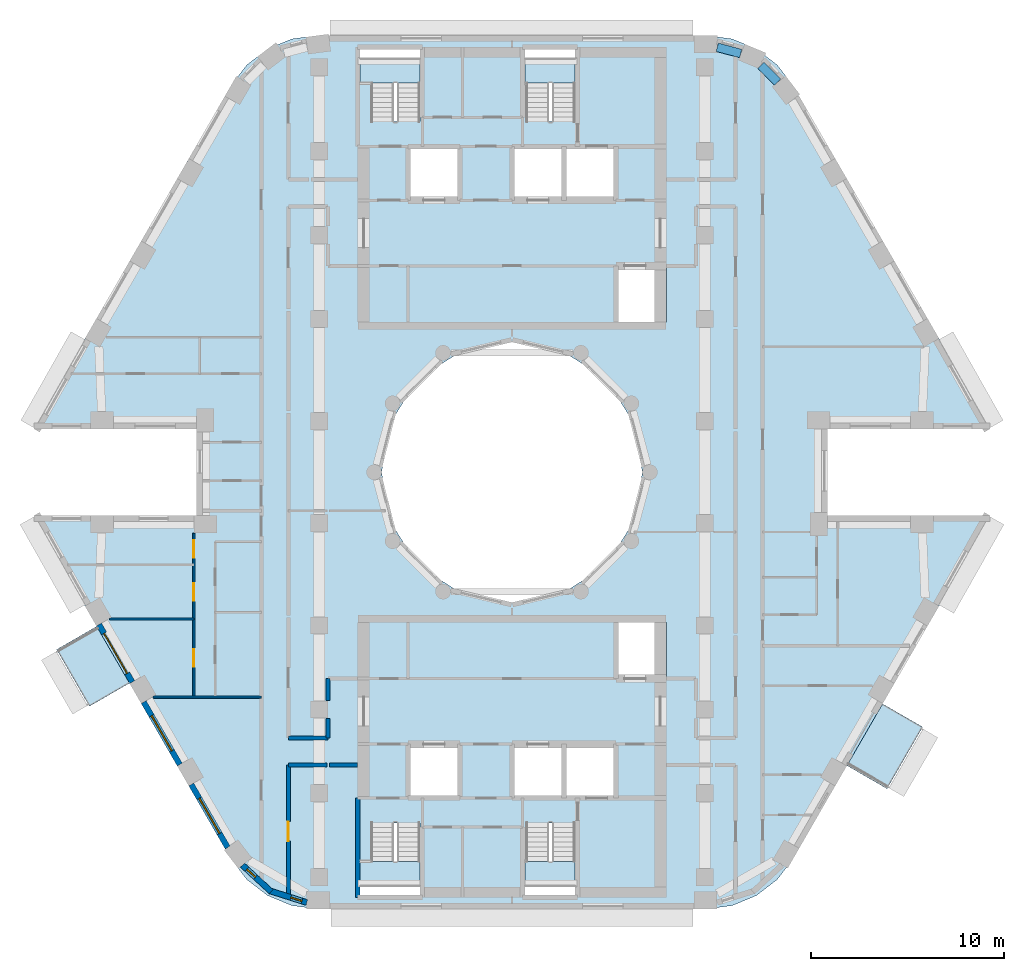
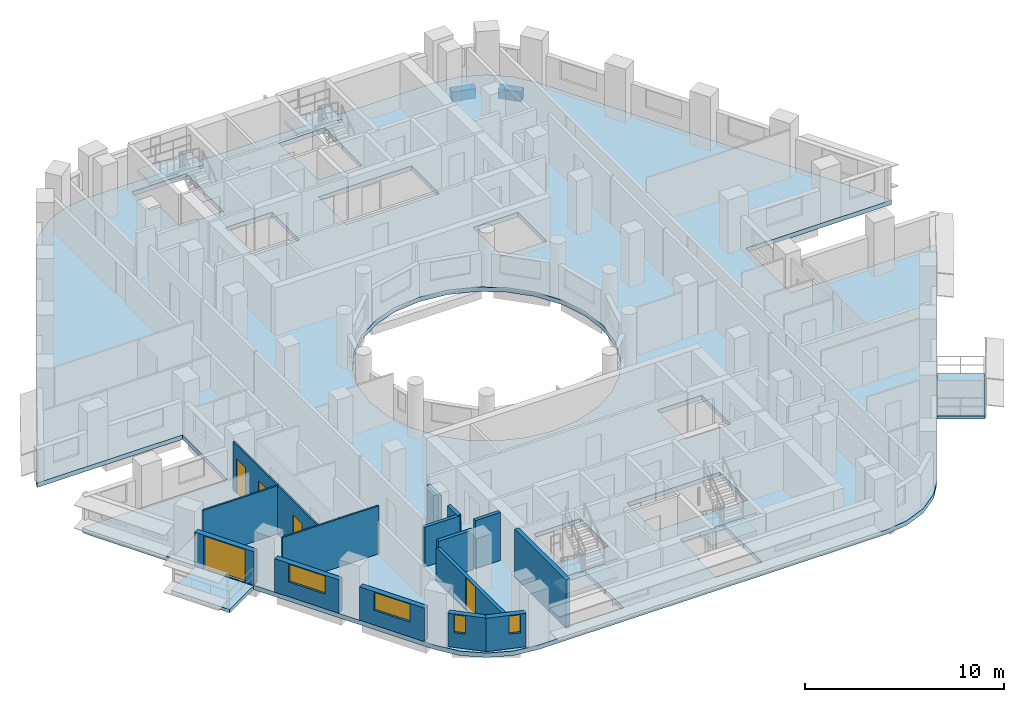
# One storey, part 2 of 15: 15 walls, 7 slabs, 5 doors, 4 windows, 2 beams, 9 openings, 4 elements without a shape of their own.
"""IFC4 building model written with IfcOpenShell, lengths in metres."""

from ifc_helpers import new_model, si_unit, direction, frame, frame_2d, origin, origin_2d, place, context, subcontext, project, spatial, polyline, rectangle, outline, extrude, material, layer, layer_set, material_profile, profile_set, type_object, element, fill, aggregate, save


model = new_model("IFC4")

# Units and contexts
model_context = context("Model", 3, precision=1e-05, world=origin(), true_north=direction((0.0, 1.0)))
body_context = subcontext(model_context, "Body", "Model", "MODEL_VIEW")
ifc_project = project(units=[si_unit("LENGTHUNIT", "METRE"), si_unit("AREAUNIT", "SQUARE_METRE"), si_unit("VOLUMEUNIT", "CUBIC_METRE"), si_unit("PLANEANGLEUNIT", "RADIAN"), si_unit("MASSUNIT", "GRAM", prefix="KILO")], contexts=[model_context])

# Site, building, storey
site_placement = place(None, origin())
site = spatial("IfcSite", under=ifc_project, at=site_placement, CompositionType="ELEMENT")
building_placement = place(site_placement, origin())
building = spatial("IfcBuilding", under=site, at=building_placement, Name="Nakaniwa Court", CompositionType="ELEMENT")
storey_placement = place(building_placement, frame((0.0, 0.0, 216.300048828125)))
storey = spatial("IfcBuildingStorey", under=building, at=storey_placement, Name="L57", CompositionType="ELEMENT", Elevation=216.300048828125)

# Beams
ifc_material_1 = material(Name="Concrete C80/100", Category="concrete")
ifc_material_profile = material_profile(ifc_material_1, rectangle(XDim=0.449951171875, YDim=0.60009765625, at=origin_2d()), Name="Concrete C80/100 RC 450x600 spandrel beam")
ifc_profile_set = profile_set([ifc_material_profile], Name="Concrete C80/100")
beam_type = type_object("IfcBeamType", Name="Concrete C80/100 RC 450x600 spandrel beam", PredefinedType="BEAM", material=ifc_profile_set)
beam_1_placement = place(storey_placement, frame((93.77587890625, 100.22802734375, -0.574951171875), z_axis=(-0.705916034154, 0.708295526404, 0.0), x_axis=(-0.708295526404, -0.705916034154, 0.0)))
element("IfcBeam", 1, at=beam_1_placement, inside=storey, type_object=beam_type, Name="SPANDREL BEAM", PredefinedType="BEAM", context=body_context, shape_type="SweptSolid", body=[
    extrude(rectangle(XDim=0.449951171875, YDim=0.60009765625, at=origin_2d()), origin(), (0.0, 0.0, 1.0), 1.231201171875),
])
beam_2_placement = place(storey_placement, frame((91.863037109375, 101.716064453125, -0.574951171875), z_axis=(-0.966337757832, 0.257276772735, 0.0), x_axis=(-0.257276772735, -0.966337757832, 0.0)))
element("IfcBeam", 2, at=beam_2_placement, inside=storey, type_object=beam_type, Name="SPANDREL BEAM", PredefinedType="BEAM", context=body_context, shape_type="SweptSolid", body=[
    extrude(rectangle(XDim=0.449951171875, YDim=0.60009765625, at=origin_2d()), origin(), (0.0, 0.0, 1.0), 1.26025390625),
])

# Slabs
ifc_material_2 = material(Name="Charcoal ceramic paver")
ifc_layer_1 = layer(ifc_material_2, 0.02, Name="Ceramic paver")
ifc_material_3 = material(Name="Cement sand screed")
ifc_layer_2 = layer(ifc_material_3, 0.03, Name="Falls screed")
ifc_material_4 = material(Name="Concrete C40/50", Category="concrete")
ifc_layer_3 = layer(ifc_material_4, 0.15, Name="Balcony slab")
ifc_layer_set_1 = layer_set([ifc_layer_1, ifc_layer_2, ifc_layer_3], Name="Concrete C40/50 balcony slab with ceramic paver finish")
slab_type_1 = type_object("IfcSlabType", Name="Balcony slab 200", PredefinedType="FLOOR", material=ifc_layer_set_1)
slab_1_placement = place(storey_placement, frame((0.0, 0.0, -0.25)))
element("IfcSlab", 3, at=slab_1_placement, inside=storey, type_object=slab_type_1, Name="L57 balcony 01", PredefinedType="FLOOR", context=body_context, shape_type="SweptSolid", body=[
    extrude(outline(polyline([(58.46142578125, 72.005859375), (60.160888671875, 69.062255859375), (58.08251953125, 67.8623046875), (56.383056640625, 70.805908203125), (58.46142578125, 72.005859375)])), origin(), (0.0, 0.0, 1.0), 0.199951171875),
])
slab_2_placement = place(storey_placement, frame((0.0, 0.0, -0.25)))
element("IfcSlab", 4, at=slab_2_placement, inside=storey, type_object=slab_type_1, Name="L57 balcony 02", PredefinedType="FLOOR", context=body_context, shape_type="SweptSolid", body=[
    extrude(outline(polyline([(97.370849609375, 64.787353515625), (99.218994140625, 67.98828125), (101.297607421875, 66.788330078125), (99.44921875, 63.58740234375), (97.370849609375, 64.787353515625)])), origin(), (0.0, 0.0, 1.0), 0.199951171875),
])
ifc_layer_4 = layer(ifc_material_1, 0.27490234375)
ifc_layer_set_2 = layer_set([ifc_layer_4], Name="Concrete C80/100")
slab_type_2 = type_object("IfcSlabType", Name="Concrete C80/100 post tensioned floor slab 275", PredefinedType="FLOOR", material=ifc_layer_set_2)
slab_3_placement = place(storey_placement, frame((0.0, 0.0, -0.275146484375)))
element("IfcSlab", 5, at=slab_3_placement, inside=storey, type_object=slab_type_2, Name="FLOOR SLAB", PredefinedType="FLOOR", context=body_context, shape_type="SweptSolid", body=[
    extrude(outline(polyline([(96.349609375, 82.25), (104.7978515625, 82.25), (104.65283203125, 82.60009765625), (94.578125, 100.050048828125), (93.751708984375, 101.126953125), (92.6748046875, 101.953369140625), (91.420654296875, 102.472900390625), (90.07470703125, 102.64990234375), (69.92529296875, 102.64990234375), (68.579345703125, 102.472900390625), (67.3251953125, 101.953369140625), (66.248291015625, 101.126953125), (65.421875, 100.050048828125), (55.34716796875, 82.60009765625), (55.2021484375, 82.25), (63.650390625, 82.25), (63.650390625, 77.75), (55.2021484375, 77.75), (55.34716796875, 77.39990234375), (65.421875, 59.949951171875), (66.248291015625, 58.873046875), (67.3251953125, 58.046630859375), (68.579345703125, 57.527099609375), (69.92529296875, 57.35009765625), (90.07470703125, 57.35009765625), (91.420654296875, 57.527099609375), (92.6748046875, 58.046630859375), (93.751708984375, 58.873046875), (94.578125, 59.949951171875), (104.65283203125, 77.39990234375), (104.7978515625, 77.75), (96.349609375, 77.75), (96.349609375, 82.25)]), holes=[polyline([(81.501953125, 86.580810546875), (80.0, 86.75), (78.498046875, 86.580810546875), (77.0712890625, 86.08154296875), (75.79150390625, 85.27734375), (74.72265625, 84.20849609375), (73.91845703125, 82.9287109375), (73.419189453125, 81.501953125), (73.25, 80.0), (73.419189453125, 78.498046875), (73.91845703125, 77.0712890625), (74.72265625, 75.79150390625), (75.79150390625, 74.72265625), (77.0712890625, 73.91845703125), (78.498046875, 73.419189453125), (80.0, 73.25), (81.501953125, 73.419189453125), (82.9287109375, 73.91845703125), (84.20849609375, 74.72265625), (85.27734375, 75.79150390625), (86.08154296875, 77.0712890625), (86.580810546875, 78.498046875), (86.75, 80.0), (86.580810546875, 81.501953125), (86.08154296875, 82.9287109375), (85.27734375, 84.20849609375), (84.20849609375, 85.27734375), (82.9287109375, 86.08154296875), (81.501953125, 86.580810546875)]), polyline([(72.675048828125, 61.81005859375), (72.675048828125, 59.864990234375), (72.0849609375, 59.864990234375), (72.0849609375, 58.034912109375), (75.264892578125, 58.034912109375), (75.264892578125, 59.864990234375), (75.22509765625, 59.864990234375), (75.22509765625, 61.81005859375), (72.675048828125, 61.81005859375)]), polyline([(77.300048828125, 65.89990234375), (74.60009765625, 65.89990234375), (74.60009765625, 63.10009765625), (77.300048828125, 63.10009765625), (77.300048828125, 65.89990234375)]), polyline([(80.0, 65.89990234375), (80.0, 63.10009765625), (82.699951171875, 63.10009765625), (85.39990234375, 63.10009765625), (85.39990234375, 65.89990234375), (82.699951171875, 65.89990234375), (80.0, 65.89990234375)]), polyline([(77.300048828125, 96.89990234375), (74.60009765625, 96.89990234375), (74.60009765625, 94.10009765625), (77.300048828125, 94.10009765625), (77.300048828125, 96.89990234375)]), polyline([(80.0, 96.89990234375), (80.0, 94.10009765625), (82.699951171875, 94.10009765625), (85.39990234375, 94.10009765625), (85.39990234375, 96.89990234375), (82.699951171875, 96.89990234375), (80.0, 96.89990234375)]), polyline([(75.264892578125, 100.135009765625), (75.264892578125, 101.965087890625), (72.0849609375, 101.965087890625), (72.0849609375, 100.135009765625), (72.675048828125, 100.135009765625), (72.675048828125, 98.18994140625), (75.22509765625, 98.18994140625), (75.22509765625, 100.135009765625), (75.264892578125, 100.135009765625)]), polyline([(83.27490234375, 61.81005859375), (80.72509765625, 61.81005859375), (80.72509765625, 59.864990234375), (80.635009765625, 59.864990234375), (80.635009765625, 58.034912109375), (83.31494140625, 58.034912109375), (83.31494140625, 59.864990234375), (83.27490234375, 59.864990234375), (83.27490234375, 61.81005859375)]), polyline([(88.0, 72.199951171875), (85.39990234375, 72.199951171875), (85.39990234375, 69.300048828125), (88.0, 69.300048828125), (88.0, 72.199951171875)]), polyline([(88.0, 90.699951171875), (85.39990234375, 90.699951171875), (85.39990234375, 87.800048828125), (88.0, 87.800048828125), (88.0, 90.699951171875)]), polyline([(83.31494140625, 100.135009765625), (83.31494140625, 101.965087890625), (80.635009765625, 101.965087890625), (80.635009765625, 100.135009765625), (80.72509765625, 100.135009765625), (80.72509765625, 98.18994140625), (83.27490234375, 98.18994140625), (83.27490234375, 100.135009765625), (83.31494140625, 100.135009765625)])]), origin(), (0.0, 0.0, 1.0), 0.275146484375),
])

# Stair, slab
stair_type = type_object("IfcStairType", Name="Dog leg stair 1200 wide 18 risers", PredefinedType="HALF_TURN_STAIR", material=ifc_material_1)
stair_1_placement = place(storey_placement, origin())
stair_1 = element("IfcStair", 6, at=stair_1_placement, inside=storey, type_object=stair_type, Name="L57 Stair ST1", PredefinedType="HALF_TURN_STAIR")
ifc_layer_5 = layer(ifc_material_1, 0.199951171875)
ifc_layer_set_3 = layer_set([ifc_layer_5], Name="Concrete C80/100")
slab_type_3 = type_object("IfcSlabType", Name="Stair landing concrete", PredefinedType="LANDING", material=ifc_layer_set_3)
slab_4_placement = place(storey_placement, frame((0.0, 0.0, 1.449951171875)))
slab_4 = element("IfcSlab", 7, at=slab_4_placement, type_object=slab_type_3, Name="ST1 landing 1", PredefinedType="LANDING", context=body_context, shape_type="SweptSolid", body=[
    extrude(outline(polyline([(75.22509765625, 100.175048828125), (75.22509765625, 101.5), (72.125, 101.5), (72.125, 100.175048828125), (75.22509765625, 100.175048828125)])), origin(), (0.0, 0.0, 1.0), 0.199951171875),
])
aggregate(stair_1, [slab_4])

stair_2_placement = place(storey_placement, origin())
stair_2 = element("IfcStair", 8, at=stair_2_placement, inside=storey, type_object=stair_type, Name="L57 Stair ST2", PredefinedType="HALF_TURN_STAIR")
slab_5_placement = place(storey_placement, frame((0.0, 0.0, 1.449951171875)))
slab_5 = element("IfcSlab", 9, at=slab_5_placement, type_object=slab_type_3, Name="ST2 landing 1", PredefinedType="LANDING", context=body_context, shape_type="SweptSolid", body=[
    extrude(outline(polyline([(83.27490234375, 100.175048828125), (83.27490234375, 101.5), (80.675048828125, 101.5), (80.675048828125, 100.175048828125), (83.27490234375, 100.175048828125)])), origin(), (0.0, 0.0, 1.0), 0.199951171875),
])
aggregate(stair_2, [slab_5])

stair_3_placement = place(storey_placement, origin())
stair_3 = element("IfcStair", 10, at=stair_3_placement, inside=storey, type_object=stair_type, Name="L57 Stair ST3", PredefinedType="HALF_TURN_STAIR")
slab_6_placement = place(storey_placement, frame((0.0, 0.0, 1.449951171875)))
slab_6 = element("IfcSlab", 11, at=slab_6_placement, type_object=slab_type_3, Name="ST3 landing 1", PredefinedType="LANDING", context=body_context, shape_type="SweptSolid", body=[
    extrude(outline(polyline([(75.22509765625, 58.5), (75.22509765625, 59.824951171875), (72.125, 59.824951171875), (72.125, 58.5), (75.22509765625, 58.5)])), origin(), (0.0, 0.0, 1.0), 0.199951171875),
])
aggregate(stair_3, [slab_6])

stair_4_placement = place(storey_placement, origin())
stair_4 = element("IfcStair", 12, at=stair_4_placement, inside=storey, type_object=stair_type, Name="L57 Stair ST4", PredefinedType="HALF_TURN_STAIR")
slab_7_placement = place(storey_placement, frame((0.0, 0.0, 1.449951171875)))
slab_7 = element("IfcSlab", 13, at=slab_7_placement, type_object=slab_type_3, Name="ST4 landing 1", PredefinedType="LANDING", context=body_context, shape_type="SweptSolid", body=[
    extrude(outline(polyline([(83.27490234375, 58.5), (83.27490234375, 59.824951171875), (80.675048828125, 59.824951171875), (80.675048828125, 58.5), (83.27490234375, 58.5)])), origin(), (0.0, 0.0, 1.0), 0.199951171875),
])
aggregate(stair_4, [slab_7])

# Walls
ifc_material_5 = material(Name="Acoustic double stud partition")
ifc_layer_6 = layer(ifc_material_5, 0.199951171875)
ifc_layer_set_4 = layer_set([ifc_layer_6], Name="Acoustic double stud partition")
wall_type_1 = type_object("IfcWallType", Name="Acoustic double stud partition 200", PredefinedType="PARTITIONING", material=ifc_layer_set_4)
wall_1_placement = place(storey_placement, frame((68.39990234375, 64.824951171875, 0.0), z_axis=(0.0, 0.0, 1.0), x_axis=(1.0, 0.0, 0.0)))
element("IfcWall", 14, at=wall_1_placement, inside=storey, type_object=wall_type_1, Name="Partition PW-071", PredefinedType="PARTITIONING", context=body_context, shape_type="SweptSolid", body=[
    extrude(rectangle(XDim=2.012939453125, YDim=0.199951171875, at=frame_2d((1.00634765625, 0.0))), origin(), (0.0, 0.0, 1.0), 2.429931640625),
])
wall_2_placement = place(storey_placement, frame((70.527099609375, 64.824951171875, 0.0), z_axis=(0.0, 0.0, 1.0), x_axis=(1.0, 0.0, 0.0)))
element("IfcWall", 15, at=wall_2_placement, inside=storey, type_object=wall_type_1, Name="Partition PW-072", PredefinedType="PARTITIONING", context=body_context, shape_type="SweptSolid", body=[
    extrude(rectangle(XDim=1.472900390625, YDim=0.199951171875, at=frame_2d((0.736328125, 0.0))), origin(), (0.0, 0.0, 1.0), 2.949951171875),
])
wall_3_placement = place(storey_placement, frame((68.39990234375, 66.22509765625, 0.0), z_axis=(0.0, 0.0, 1.0), x_axis=(1.0, 0.0, 0.0)))
element("IfcWall", 16, at=wall_3_placement, inside=storey, type_object=wall_type_1, Name="Partition PW-082", PredefinedType="PARTITIONING", context=body_context, shape_type="SweptSolid", body=[
    extrude(rectangle(XDim=2.050048828125, YDim=0.199951171875, at=frame_2d((1.02490234375, 0.0))), origin(), (0.0, 0.0, 1.0), 2.429931640625),
])

# Wall, opening, door
wall_4_placement = place(storey_placement, frame((68.39990234375, 64.824951171875, 0.0), z_axis=(0.0, 0.0, 1.0), x_axis=(0.0, -1.0, 0.0)))
wall_4 = element("IfcWall", 17, at=wall_4_placement, inside=storey, type_object=wall_type_1, Name="Partition PW-092", PredefinedType="PARTITIONING", context=body_context, shape_type="SweptSolid", body=[
    extrude(rectangle(XDim=6.898681640625, YDim=0.199951171875, at=frame_2d((3.44921875, 0.0))), origin(), (0.0, 0.0, 1.0), 2.030029296875),
])
opening_1_placement = place(wall_4_placement, frame((2.949951171875, 0.0, 0.0)))
opening_1 = element("IfcOpeningElement", 18, at=opening_1_placement, cuts=wall_4, Name="Opening D-36-03", PredefinedType="OPENING", context=body_context, shape_type="SweptSolid", body=[
    extrude(rectangle(XDim=1.0, YDim=2.010009765625, at=frame_2d((0.5, 1.0048828125))), frame((0.0, 0.10986328125, 0.0), z_axis=(0.0, -1.0, 0.0), x_axis=(1.0, 0.0, 0.0)), (0.0, 0.0, 1.0), 0.219970703125),
])
ifc_material_6 = material(Name="Solid core timber door set, black veneer", Category="wood")
door_type_1 = type_object("IfcDoorType", Name="Internal door 1000 x 2010", OperationType="NOTDEFINED", PredefinedType="DOOR", material=ifc_material_6)
door_1_placement = place(opening_1_placement, origin())
door_1 = element("IfcDoor", 19, at=door_1_placement, inside=storey, type_object=door_type_1, Name="Door D-36-03 L57-033", OperationType="SINGLE_SWING_RIGHT", OverallHeight=2.010009765625, OverallWidth=1.0, PredefinedType="DOOR", context=body_context, shape_type="SweptSolid", body=[
    extrude(rectangle(XDim=1.0, YDim=2.010009765625, at=frame_2d((0.5, 1.0048828125))), frame((0.0, 0.02490234375, 0.0), z_axis=(0.0, -1.0, 0.0), x_axis=(1.0, 0.0, 0.0)), (0.0, 0.0, 1.0), 0.050048828125),
])
fill(opening_1, door_1)

# Walls
wall_5_placement = place(storey_placement, frame((70.449951171875, 66.22509765625, 0.0), z_axis=(0.0, 0.0, 1.0), x_axis=(0.0, 1.0, 0.0)))
element("IfcWall", 20, at=wall_5_placement, inside=storey, type_object=wall_type_1, Name="Partition PW-098", PredefinedType="PARTITIONING", context=body_context, shape_type="SweptSolid", body=[
    extrude(rectangle(XDim=1.0078125, YDim=0.199951171875, at=frame_2d((0.50390625, 0.0))), origin(), (0.0, 0.0, 1.0), 2.429931640625),
])
wall_6_placement = place(storey_placement, frame((70.449951171875, 68.167236328125, 0.0), z_axis=(0.0, 0.0, 1.0), x_axis=(0.0, 1.0, 0.0)))
element("IfcWall", 21, at=wall_6_placement, inside=storey, type_object=wall_type_1, Name="Partition PW-099", PredefinedType="PARTITIONING", context=body_context, shape_type="SweptSolid", body=[
    extrude(rectangle(XDim=1.1328125, YDim=0.199951171875, at=frame_2d((0.56640625, 0.0))), origin(), (0.0, 0.0, 1.0), 2.429931640625),
])

# Wall, opening, door
ifc_material_7 = material(Name="Charcoal ceramic cladding")
ifc_layer_7 = layer(ifc_material_7, 0.02, Name="Ceramic cladding")
ifc_material_8 = material(Name="Ventilated air cavity")
ifc_layer_8 = layer(ifc_material_8, 0.04, ventilated=True, Name="Ventilated cavity")
ifc_material_9 = material(Name="Mineral wool insulation")
ifc_layer_9 = layer(ifc_material_9, 0.1, Name="Insulation")
ifc_material_10 = material(Name="Cement bonded sheathing board")
ifc_layer_10 = layer(ifc_material_10, 0.012, Name="Sheathing")
ifc_material_11 = material(Name="Cold-formed galvanised stud frame with mineral wool infill")
ifc_layer_11 = layer(ifc_material_11, 0.1, Name="Stud frame")
ifc_material_12 = material(Name="Fire-rated gypsum plasterboard lining")
ifc_layer_12 = layer(ifc_material_12, 0.028, Name="Lining")
ifc_layer_set_5 = layer_set([ifc_layer_7, ifc_layer_8, ifc_layer_9, ifc_layer_10, ifc_layer_11, ifc_layer_12], Name="Charcoal ceramic faced external wall system")
wall_type_2 = type_object("IfcWallType", Name="Black ceramic faced external wall 300", PredefinedType="SOLIDWALL", material=ifc_layer_set_5)
wall_7_placement = place(storey_placement, frame((58.579345703125, 72.101806640625, 0.0), z_axis=(0.0, 0.0, 1.0), x_axis=(0.499955427682, -0.866051136095, 0.0)))
wall_7 = element("IfcWall", 22, at=wall_7_placement, inside=storey, type_object=wall_type_2, Name="L57 external wall 21", PredefinedType="SOLIDWALL", context=body_context, shape_type="SweptSolid", body=[
    extrude(rectangle(XDim=3.447021484375, YDim=0.300048828125, at=frame_2d((1.7236328125, 0.0))), origin(), (0.0, 0.0, 1.0), 2.050048828125),
])
opening_2_placement = place(wall_7_placement, frame((0.5234375, 0.0, 0.0)))
opening_2 = element("IfcOpeningElement", 23, at=opening_2_placement, cuts=wall_7, Name="Opening XD13.01", PredefinedType="OPENING", context=body_context, shape_type="SweptSolid", body=[
    extrude(rectangle(XDim=2.39990234375, YDim=2.0, at=frame_2d((1.199951171875, 1.0))), frame((0.0, 0.159912109375, 0.0), z_axis=(0.0, -1.0, 0.0), x_axis=(1.0, 0.0, 0.0)), (0.0, 0.0, 1.0), 0.320068359375),
])
ifc_material_13 = material(Name="Black powder-coated aluminium frame with dark laminated glass", Category="aluminium")
door_type_2 = type_object("IfcDoorType", Name="Balcony sliding door 2400x2000", OperationType="DOUBLE_DOOR_SLIDING", PredefinedType="DOOR", material=ifc_material_13)
door_2_placement = place(opening_2_placement, origin())
door_2 = element("IfcDoor", 24, at=door_2_placement, inside=storey, type_object=door_type_2, Name="L57 balcony sliding door 01", OperationType="DOUBLE_DOOR_SLIDING", OverallHeight=2.0, OverallWidth=2.39990234375, PredefinedType="DOOR", context=body_context, shape_type="SweptSolid", body=[
    extrude(rectangle(XDim=2.39990234375, YDim=2.0, at=frame_2d((1.199951171875, 1.0))), frame((0.0, 0.02490234375, 0.0), z_axis=(0.0, -1.0, 0.0), x_axis=(1.0, 0.0, 0.0)), (0.0, 0.0, 1.0), 0.050048828125),
])
fill(opening_2, door_2)

# Wall, opening, window
wall_8_placement = place(storey_placement, frame((60.898681640625, 68.083984375, 0.0), z_axis=(0.0, 0.0, 1.0), x_axis=(0.500059225181, -0.86599120741, 0.0)))
wall_8 = element("IfcWall", 25, at=wall_8_placement, inside=storey, type_object=wall_type_2, Name="L57 external wall 22", PredefinedType="SOLIDWALL", context=body_context, shape_type="SweptSolid", body=[
    extrude(rectangle(XDim=3.744140625, YDim=0.300048828125, at=frame_2d((1.8720703125, 0.0))), origin(), (0.0, 0.0, 1.0), 2.050048828125),
])
opening_3_placement = place(wall_8_placement, frame((0.822265625, 0.0, 0.89990234375)))
opening_3 = element("IfcOpeningElement", 26, at=opening_3_placement, cuts=wall_8, Name="Opening W7.25", PredefinedType="OPENING", context=body_context, shape_type="SweptSolid", body=[
    extrude(rectangle(XDim=2.10009765625, YDim=1.10009765625, at=frame_2d((1.050048828125, 0.550048828125))), frame((0.0, 0.159912109375, 0.0), z_axis=(0.0, -1.0, 0.0), x_axis=(1.0, 0.0, 0.0)), (0.0, 0.0, 1.0), 0.320068359375),
])
ifc_material_14 = material(Name="Black anodised aluminium frame with dark low-E laminated double glazing", Category="aluminium")
window_type_1 = type_object("IfcWindowType", Name="Dark glass window 2100x1100 sill 900", PartitioningType="SINGLE_PANEL", PredefinedType="WINDOW", material=ifc_material_14)
window_1_placement = place(opening_3_placement, origin())
window_1 = element("IfcWindow", 27, at=window_1_placement, inside=storey, type_object=window_type_1, Name="L57 habitable room window 22-0", OverallHeight=1.10009765625, OverallWidth=2.10009765625, PartitioningType="SINGLE_PANEL", PredefinedType="WINDOW", context=body_context, shape_type="SweptSolid", body=[
    extrude(rectangle(XDim=2.10009765625, YDim=1.10009765625, at=frame_2d((1.050048828125, 0.550048828125))), frame((0.0, 0.030029296875, 0.0), z_axis=(0.0, -1.0, 0.0), x_axis=(1.0, 0.0, 0.0)), (0.0, 0.0, 1.0), 0.06005859375),
])
fill(opening_3, window_1)

wall_9_placement = place(storey_placement, frame((63.366943359375, 63.809326171875, 0.0), z_axis=(0.0, 0.0, 1.0), x_axis=(0.499961087031, -0.866047869032, 0.0)))
wall_9 = element("IfcWall", 28, at=wall_9_placement, inside=storey, type_object=wall_type_2, Name="L57 external wall 23", PredefinedType="SOLIDWALL", context=body_context, shape_type="SweptSolid", body=[
    extrude(rectangle(XDim=3.778564453125, YDim=0.300048828125, at=frame_2d((1.88916015625, 0.0))), origin(), (0.0, 0.0, 1.0), 2.050048828125),
])
opening_4_placement = place(wall_9_placement, frame((0.827880859375, 0.0, 0.89990234375)))
opening_4 = element("IfcOpeningElement", 29, at=opening_4_placement, cuts=wall_9, Name="Opening W7.26", PredefinedType="OPENING", context=body_context, shape_type="SweptSolid", body=[
    extrude(rectangle(XDim=2.10009765625, YDim=1.10009765625, at=frame_2d((1.050048828125, 0.550048828125))), frame((0.0, 0.159912109375, 0.0), z_axis=(0.0, -1.0, 0.0), x_axis=(1.0, 0.0, 0.0)), (0.0, 0.0, 1.0), 0.320068359375),
])
window_2_placement = place(opening_4_placement, origin())
window_2 = element("IfcWindow", 30, at=window_2_placement, inside=storey, type_object=window_type_1, Name="L57 habitable room window 23-0", OverallHeight=1.10009765625, OverallWidth=2.10009765625, PartitioningType="SINGLE_PANEL", PredefinedType="WINDOW", context=body_context, shape_type="SweptSolid", body=[
    extrude(rectangle(XDim=2.10009765625, YDim=1.10009765625, at=frame_2d((1.050048828125, 0.550048828125))), frame((0.0, 0.030029296875, 0.0), z_axis=(0.0, -1.0, 0.0), x_axis=(1.0, 0.0, 0.0)), (0.0, 0.0, 1.0), 0.06005859375),
])
fill(opening_4, window_2)

wall_10_placement = place(storey_placement, frame((66.0224609375, 59.622314453125, 0.0), z_axis=(0.0, 0.0, 1.0), x_axis=(0.734627852992, -0.678470277616, 0.0)))
wall_10 = element("IfcWall", 31, at=wall_10_placement, inside=storey, type_object=wall_type_2, Name="L57 external wall 24", PredefinedType="SOLIDWALL", context=body_context, shape_type="SweptSolid", body=[
    extrude(rectangle(XDim=2.02587890625, YDim=0.300048828125, at=frame_2d((1.012939453125, 0.0))), origin(), (0.0, 0.0, 1.0), 2.050048828125),
])
opening_5_placement = place(wall_10_placement, frame((0.31298828125, 0.0, 0.89990234375)))
opening_5 = element("IfcOpeningElement", 32, at=opening_5_placement, cuts=wall_10, Name="Opening W8.27", PredefinedType="OPENING", context=body_context, shape_type="SweptSolid", body=[
    extrude(rectangle(XDim=0.60009765625, YDim=1.10009765625, at=frame_2d((0.300048828125, 0.550048828125))), frame((0.0, 0.159912109375, 0.0), z_axis=(0.0, -1.0, 0.0), x_axis=(1.0, 0.0, 0.0)), (0.0, 0.0, 1.0), 0.320068359375),
])
window_type_2 = type_object("IfcWindowType", Name="Dark glass window 600x1100 sill 900", PartitioningType="SINGLE_PANEL", PredefinedType="WINDOW", material=ifc_material_14)
window_3_placement = place(opening_5_placement, origin())
window_3 = element("IfcWindow", 33, at=window_3_placement, inside=storey, type_object=window_type_2, Name="L57 habitable room window 24-0", OverallHeight=1.10009765625, OverallWidth=0.60009765625, PartitioningType="SINGLE_PANEL", PredefinedType="WINDOW", context=body_context, shape_type="SweptSolid", body=[
    extrude(rectangle(XDim=0.60009765625, YDim=1.10009765625, at=frame_2d((0.300048828125, 0.550048828125))), frame((0.0, 0.030029296875, 0.0), z_axis=(0.0, -1.0, 0.0), x_axis=(1.0, 0.0, 0.0)), (0.0, 0.0, 1.0), 0.06005859375),
])
fill(opening_5, window_3)

wall_11_placement = place(storey_placement, frame((67.40576171875, 58.3017578125, 0.0), z_axis=(0.0, 0.0, 1.0), x_axis=(0.953537608367, -0.301274010545, 0.0)))
wall_11 = element("IfcWall", 34, at=wall_11_placement, inside=storey, type_object=wall_type_2, Name="L57 external wall 25", PredefinedType="SOLIDWALL", context=body_context, shape_type="SweptSolid", body=[
    extrude(rectangle(XDim=2.0478515625, YDim=0.300048828125, at=frame_2d((1.02392578125, 0.0))), origin(), (0.0, 0.0, 1.0), 2.050048828125),
])
opening_6_placement = place(wall_11_placement, frame((1.1796875, 0.0, 0.89990234375)))
opening_6 = element("IfcOpeningElement", 35, at=opening_6_placement, cuts=wall_11, Name="Opening W8.28", PredefinedType="OPENING", context=body_context, shape_type="SweptSolid", body=[
    extrude(rectangle(XDim=0.60009765625, YDim=1.10009765625, at=frame_2d((0.300048828125, 0.550048828125))), frame((0.0, 0.159912109375, 0.0), z_axis=(0.0, -1.0, 0.0), x_axis=(1.0, 0.0, 0.0)), (0.0, 0.0, 1.0), 0.320068359375),
])
window_4_placement = place(opening_6_placement, origin())
window_4 = element("IfcWindow", 36, at=window_4_placement, inside=storey, type_object=window_type_2, Name="L57 habitable room window 25-1", OverallHeight=1.10009765625, OverallWidth=0.60009765625, PartitioningType="SINGLE_PANEL", PredefinedType="WINDOW", context=body_context, shape_type="SweptSolid", body=[
    extrude(rectangle(XDim=0.60009765625, YDim=1.10009765625, at=frame_2d((0.300048828125, 0.550048828125))), frame((0.0, 0.030029296875, 0.0), z_axis=(0.0, -1.0, 0.0), x_axis=(1.0, 0.0, 0.0)), (0.0, 0.0, 1.0), 0.06005859375),
])
fill(opening_6, window_4)

# Walls
ifc_layer_13 = layer(ifc_material_1, 0.25)
ifc_layer_set_6 = layer_set([ifc_layer_13], Name="Concrete C80/100")
wall_type_3 = type_object("IfcWallType", Name="Concrete core wall 250 C80", PredefinedType="SHEAR", material=ifc_layer_set_6)
wall_12_placement = place(storey_placement, frame((72.0, 57.949951171875, -0.275146484375), z_axis=(0.0, 0.0, 1.0), x_axis=(0.0, 1.0, 0.0)))
element("IfcWall", 37, at=wall_12_placement, inside=storey, type_object=wall_type_3, Name="Core wall SW-55", PredefinedType="SHEAR", context=body_context, shape_type="SweptSolid", body=[
    extrude(rectangle(XDim=5.150146484375, YDim=0.25, at=frame_2d((2.5751953125, 0.0))), origin(), (0.0, 0.0, 1.0), 3.22509765625),
])
ifc_material_15 = material(Name="Single stud plasterboard partition")
ifc_layer_14 = layer(ifc_material_15, 0.10009765625)
ifc_layer_set_7 = layer_set([ifc_layer_14], Name="Single stud plasterboard partition")
wall_type_4 = type_object("IfcWallType", Name="Single stud plasterboard partition 100", PredefinedType="PARTITIONING", material=ifc_layer_set_7)
wall_13_placement = place(storey_placement, frame((61.3857421875, 68.337890625, 0.0), z_axis=(0.0, 0.0, 1.0), x_axis=(1.0, 0.0, 0.0)))
element("IfcWall", 38, at=wall_13_placement, inside=storey, type_object=wall_type_4, Name="Partition PW-123", PredefinedType="PARTITIONING", context=body_context, shape_type="SweptSolid", body=[
    extrude(rectangle(XDim=5.61328125, YDim=0.10009765625, at=frame_2d((2.806640625, 0.0))), origin(), (0.0, 0.0, 1.0), 2.949951171875),
])

# Wall, openings, doors
wall_14_placement = place(storey_placement, frame((63.4990234375, 68.33740234375, 0.0), z_axis=(0.0, 0.0, 1.0), x_axis=(0.0, 1.0, 0.0)))
wall_14 = element("IfcWall", 39, at=wall_14_placement, inside=storey, type_object=wall_type_4, Name="Partition PW-125", PredefinedType="PARTITIONING", context=body_context, shape_type="SweptSolid", body=[
    extrude(rectangle(XDim=8.49267578125, YDim=0.10009765625, at=frame_2d((4.246337890625, 0.0))), origin(), (0.0, 0.0, 1.0), 2.949951171875),
])
opening_7_placement = place(wall_14_placement, frame((1.575927734375, 0.0, 0.0)))
opening_7 = element("IfcOpeningElement", 40, at=opening_7_placement, cuts=wall_14, Name="Opening D-33-05", PredefinedType="OPENING", context=body_context, shape_type="SweptSolid", body=[
    extrude(rectangle(XDim=0.89990234375, YDim=2.10009765625, at=frame_2d((0.449951171875, 1.050048828125))), frame((0.0, 0.06005859375, 0.0), z_axis=(0.0, -1.0, 0.0), x_axis=(1.0, 0.0, 0.0)), (0.0, 0.0, 1.0), 0.1201171875),
])
opening_8_placement = place(wall_14_placement, frame((5.0048828125, 0.0, 0.0)))
opening_8 = element("IfcOpeningElement", 41, at=opening_8_placement, cuts=wall_14, Name="Opening D-33-06", PredefinedType="OPENING", context=body_context, shape_type="SweptSolid", body=[
    extrude(rectangle(XDim=0.89990234375, YDim=2.10009765625, at=frame_2d((0.449951171875, 1.050048828125))), frame((0.0, 0.06005859375, 0.0), z_axis=(0.0, -1.0, 0.0), x_axis=(1.0, 0.0, 0.0)), (0.0, 0.0, 1.0), 0.1201171875),
])
opening_9_placement = place(wall_14_placement, frame((7.22509765625, 0.0, 0.0)))
opening_9 = element("IfcOpeningElement", 42, at=opening_9_placement, cuts=wall_14, Name="Opening D-33-07", PredefinedType="OPENING", context=body_context, shape_type="SweptSolid", body=[
    extrude(rectangle(XDim=0.89990234375, YDim=2.10009765625, at=frame_2d((0.449951171875, 1.050048828125))), frame((0.0, 0.06005859375, 0.0), z_axis=(0.0, -1.0, 0.0), x_axis=(1.0, 0.0, 0.0)), (0.0, 0.0, 1.0), 0.1201171875),
])
door_type_3 = type_object("IfcDoorType", Name="Internal door 900", OperationType="NOTDEFINED", PredefinedType="DOOR", material=ifc_material_6)
door_3_placement = place(opening_7_placement, origin())
door_3 = element("IfcDoor", 43, at=door_3_placement, inside=storey, type_object=door_type_3, Name="Door D-33-05 L57-038", OperationType="SINGLE_SWING_LEFT", OverallHeight=2.10009765625, OverallWidth=0.89990234375, PredefinedType="DOOR", context=body_context, shape_type="SweptSolid", body=[
    extrude(rectangle(XDim=0.89990234375, YDim=2.10009765625, at=frame_2d((0.449951171875, 1.050048828125))), frame((0.0, 0.02490234375, 0.0), z_axis=(0.0, -1.0, 0.0), x_axis=(1.0, 0.0, 0.0)), (0.0, 0.0, 1.0), 0.050048828125),
])
fill(opening_7, door_3)
door_4_placement = place(opening_8_placement, origin())
door_4 = element("IfcDoor", 44, at=door_4_placement, inside=storey, type_object=door_type_3, Name="Door D-33-06 L57-039", OperationType="SINGLE_SWING_RIGHT", OverallHeight=2.10009765625, OverallWidth=0.89990234375, PredefinedType="DOOR", context=body_context, shape_type="SweptSolid", body=[
    extrude(rectangle(XDim=0.89990234375, YDim=2.10009765625, at=frame_2d((0.449951171875, 1.050048828125))), frame((0.0, 0.02490234375, 0.0), z_axis=(0.0, -1.0, 0.0), x_axis=(1.0, 0.0, 0.0)), (0.0, 0.0, 1.0), 0.050048828125),
])
fill(opening_8, door_4)
door_5_placement = place(opening_9_placement, origin())
door_5 = element("IfcDoor", 45, at=door_5_placement, inside=storey, type_object=door_type_3, Name="Door D-33-07 L57-040", OperationType="SINGLE_SWING_LEFT", OverallHeight=2.10009765625, OverallWidth=0.89990234375, PredefinedType="DOOR", context=body_context, shape_type="SweptSolid", body=[
    extrude(rectangle(XDim=0.89990234375, YDim=2.10009765625, at=frame_2d((0.449951171875, 1.050048828125))), frame((0.0, 0.02490234375, 0.0), z_axis=(0.0, -1.0, 0.0), x_axis=(1.0, 0.0, 0.0)), (0.0, 0.0, 1.0), 0.050048828125),
])
fill(opening_9, door_5)

# Wall
wall_15_placement = place(storey_placement, frame((59.1259765625, 72.388916015625, 0.0), z_axis=(0.0, 0.0, 1.0), x_axis=(1.0, 0.0, 0.0)))
element("IfcWall", 46, at=wall_15_placement, inside=storey, type_object=wall_type_4, Name="Partition PW-127", PredefinedType="PARTITIONING", context=body_context, shape_type="SweptSolid", body=[
    extrude(rectangle(XDim=4.373046875, YDim=0.10009765625, at=frame_2d((2.1865234375, 0.0))), origin(), (0.0, 0.0, 1.0), 2.949951171875),
])

save(model, "model.ifc")
